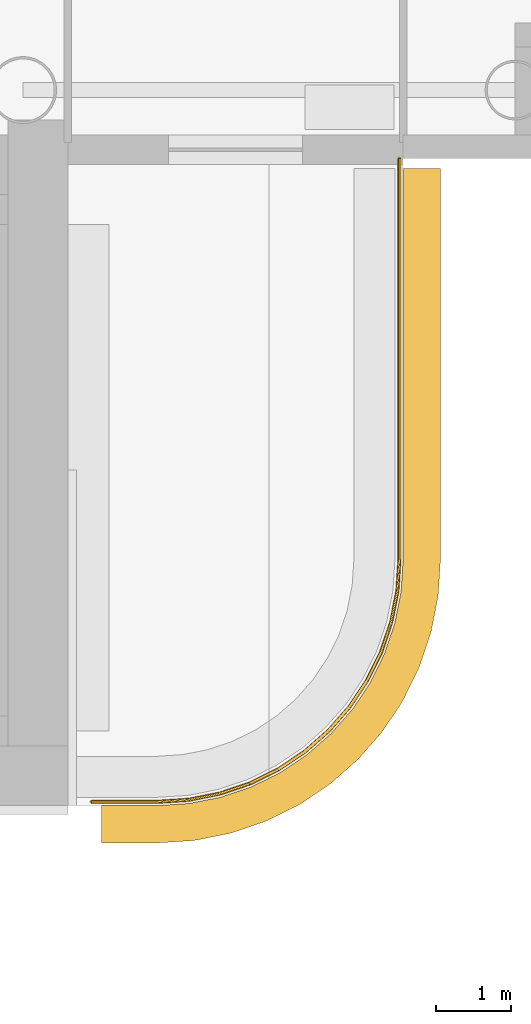
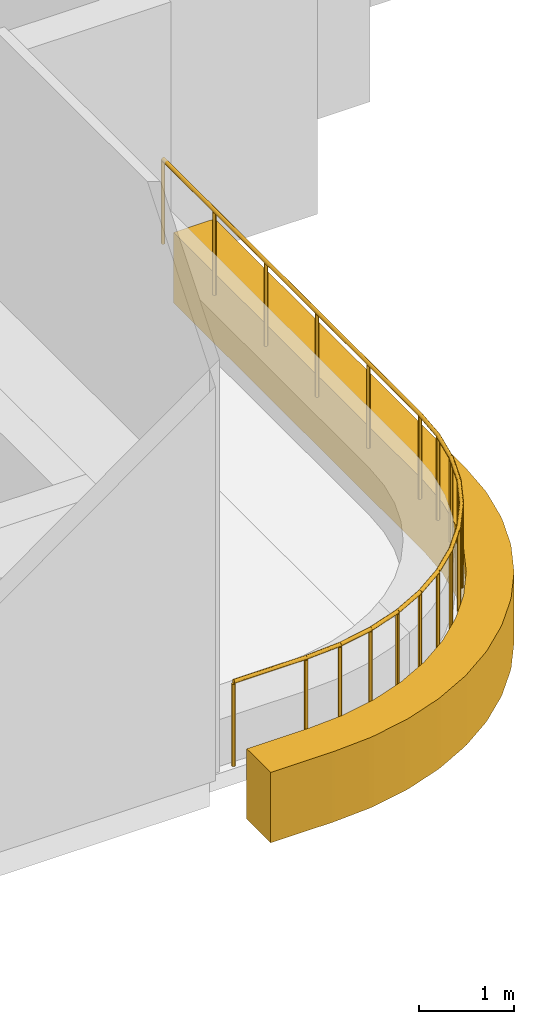
# One storey, part 19 of 20: 1 covering, 1 railing.
"""IFC4 building model written with IfcOpenShell, lengths in metres."""

from ifc_helpers import new_model, si_unit, direction, frame, origin, origin_2d, place, context, subcontext, project, spatial, polyline, circle, outline, extrude, material, layer, layer_set, type_object, element, save


model = new_model("IFC4")

# Units and contexts
model_context = context("Model", 3, precision=1e-05, world=origin(), true_north=direction((0.0, 1.0)))
body_context = subcontext(model_context, "Body", "Model", "MODEL_VIEW")
ifc_project = project(units=[si_unit("LENGTHUNIT", "METRE"), si_unit("AREAUNIT", "SQUARE_METRE"), si_unit("VOLUMEUNIT", "CUBIC_METRE"), si_unit("PLANEANGLEUNIT", "RADIAN"), si_unit("MASSUNIT", "GRAM", prefix="KILO")], contexts=[model_context])

# Site, building, storey
site_placement = place(None, origin())
site = spatial("IfcSite", under=ifc_project, at=site_placement, CompositionType="ELEMENT")
building_placement = place(site_placement, origin())
building = spatial("IfcBuilding", under=site, at=building_placement, Name="Ipe Terrace Towers", CompositionType="ELEMENT")
storey_placement = place(building_placement, frame((0.0, 0.0, 154.10009765625)))
storey = spatial("IfcBuildingStorey", under=building, at=storey_placement, Name="L42", CompositionType="ELEMENT", Elevation=154.10009765625)

# Railing
ifc_material_1 = material(Name="Stainless steel S316", Category="steel")
railing_type = type_object("IfcRailingType", Name="GUARD 1100", PredefinedType="BALUSTRADE", material=ifc_material_1)
railing_placement = place(storey_placement, frame((43.070068359375, -15.699951171875, -0.02001953125)))
element("IfcRailing", 1, at=railing_placement, inside=storey, type_object=railing_type, Name="guard", PredefinedType="BALUSTRADE", context=body_context, shape_type="SweptSolid", body=[
    extrude(circle(Radius=0.02392578125, at=origin_2d()), frame((0.0, 0.0, 1.076171875), z_axis=(1.0, 0.0, 0.0), x_axis=(0.0, 1.0, 0.0)), (0.0, 0.0, 1.0), 0.8779296875),
    extrude(circle(Radius=0.02392578125, at=origin_2d()), frame((0.8779296875, 0.0, 1.076171875), z_axis=(0.997872833927, 0.065190546171, 0.0), x_axis=(-0.065190546171, 0.997872833927, 0.0)), (0.0, 0.0, 1.0), 0.427001953125),
    extrude(circle(Radius=0.02392578125, at=origin_2d()), frame((1.303955078125, 0.02783203125, 1.076171875), z_axis=(0.980756958892, 0.195232649896, 0.0), x_axis=(-0.195232649896, 0.980756958892, 0.0)), (0.0, 0.0, 1.0), 0.42529296875),
    extrude(circle(Radius=0.02392578125, at=origin_2d()), frame((1.720947265625, 0.11083984375, 1.076171875), z_axis=(0.947355280148, 0.320184280026, 0.0), x_axis=(-0.320184280026, 0.947355280148, 0.0)), (0.0, 0.0, 1.0), 0.425537109375),
    extrude(circle(Radius=0.02392578125, at=origin_2d()), frame((2.1240234375, 0.2470703125, 1.076171875), z_axis=(0.895801099535, 0.444455160923, 0.0), x_axis=(-0.444455160923, 0.895801099535, 0.0)), (0.0, 0.0, 1.0), 0.425048828125),
    extrude(circle(Radius=0.02392578125, at=origin_2d()), frame((2.5048828125, 0.43603515625, 1.076171875), z_axis=(0.83151910003, 0.55549616226, 0.0), x_axis=(-0.55549616226, 0.83151910003, 0.0)), (0.0, 0.0, 1.0), 0.424560546875),
    extrude(circle(Radius=0.02392578125, at=origin_2d()), frame((2.85791015625, 0.671875, 1.076171875), z_axis=(0.752612255774, 0.658463964434, 0.0), x_axis=(-0.658463964434, 0.752612255774, 0.0)), (0.0, 0.0, 1.0), 0.42529296875),
    extrude(circle(Radius=0.02392578125, at=origin_2d()), frame((3.177978515625, 0.951904296875, 1.076171875), z_axis=(0.658463964434, 0.752612255774, 0.0), x_axis=(-0.752612255774, 0.658463964434, 0.0)), (0.0, 0.0, 1.0), 0.42529296875),
    extrude(circle(Radius=0.02392578125, at=origin_2d()), frame((3.4580078125, 1.27197265625, 1.076171875), z_axis=(0.55549616226, 0.83151910003, 0.0), x_axis=(-0.83151910003, 0.55549616226, 0.0)), (0.0, 0.0, 1.0), 0.424560546875),
    extrude(circle(Radius=0.02392578125, at=origin_2d()), frame((3.69384765625, 1.625, 1.076171875), z_axis=(0.444455160923, 0.895801099535, 0.0), x_axis=(-0.895801099535, 0.444455160923, 0.0)), (0.0, 0.0, 1.0), 0.425048828125),
    extrude(circle(Radius=0.02392578125, at=origin_2d()), frame((3.8828125, 2.005859375, 1.076171875), z_axis=(0.320184280026, 0.947355280148, 0.0), x_axis=(-0.947355280148, 0.320184280026, 0.0)), (0.0, 0.0, 1.0), 0.425537109375),
    extrude(circle(Radius=0.02392578125, at=origin_2d()), frame((4.01904296875, 2.408935546875, 1.076171875), z_axis=(0.195232649896, 0.980756958892, 0.0), x_axis=(-0.980756958892, 0.195232649896, 0.0)), (0.0, 0.0, 1.0), 0.42529296875),
    extrude(circle(Radius=0.02392578125, at=origin_2d()), frame((4.10205078125, 2.825927734375, 1.076171875), z_axis=(0.065190546171, 0.997872833927, 0.0), x_axis=(-0.997872833927, 0.065190546171, 0.0)), (0.0, 0.0, 1.0), 0.427001953125),
    extrude(circle(Radius=0.02392578125, at=origin_2d()), frame((4.1298828125, 3.251953125, 1.076171875), z_axis=(0.0, 1.0, 0.0), x_axis=(-1.0, 0.0, 0.0)), (0.0, 0.0, 1.0), 5.3779296875),
    extrude(circle(Radius=0.02099609375, at=origin_2d()), origin(), (0.0, 0.0, 1.0), 1.052001953125),
    extrude(circle(Radius=0.02099609375, at=origin_2d()), frame((0.8779296875, 0.0, 0.0)), (0.0, 0.0, 1.0), 1.052001953125),
    extrude(circle(Radius=0.02099609375, at=origin_2d()), frame((1.303955078125, 0.02783203125, 0.0)), (0.0, 0.0, 1.0), 1.052001953125),
    extrude(circle(Radius=0.02099609375, at=origin_2d()), frame((1.720947265625, 0.11083984375, 0.0)), (0.0, 0.0, 1.0), 1.052001953125),
    extrude(circle(Radius=0.02099609375, at=origin_2d()), frame((2.1240234375, 0.2470703125, 0.0)), (0.0, 0.0, 1.0), 1.052001953125),
    extrude(circle(Radius=0.02099609375, at=origin_2d()), frame((2.5048828125, 0.43603515625, 0.0)), (0.0, 0.0, 1.0), 1.052001953125),
    extrude(circle(Radius=0.02099609375, at=origin_2d()), frame((2.85791015625, 0.671875, 0.0)), (0.0, 0.0, 1.0), 1.052001953125),
    extrude(circle(Radius=0.02099609375, at=origin_2d()), frame((3.177978515625, 0.951904296875, 0.0)), (0.0, 0.0, 1.0), 1.052001953125),
    extrude(circle(Radius=0.02099609375, at=origin_2d()), frame((3.4580078125, 1.27197265625, 0.0)), (0.0, 0.0, 1.0), 1.052001953125),
    extrude(circle(Radius=0.02099609375, at=origin_2d()), frame((3.69384765625, 1.625, 0.0)), (0.0, 0.0, 1.0), 1.052001953125),
    extrude(circle(Radius=0.02099609375, at=origin_2d()), frame((3.8828125, 2.005859375, 0.0)), (0.0, 0.0, 1.0), 1.052001953125),
    extrude(circle(Radius=0.02099609375, at=origin_2d()), frame((4.01904296875, 2.408935546875, 0.0)), (0.0, 0.0, 1.0), 1.052001953125),
    extrude(circle(Radius=0.02099609375, at=origin_2d()), frame((4.10205078125, 2.825927734375, 0.0)), (0.0, 0.0, 1.0), 1.052001953125),
    extrude(circle(Radius=0.02099609375, at=origin_2d()), frame((4.1298828125, 3.251953125, 0.0)), (0.0, 0.0, 1.0), 1.052001953125),
    extrude(circle(Radius=0.02099609375, at=origin_2d()), frame((4.1298828125, 4.32763671875, 0.0)), (0.0, 0.0, 1.0), 1.052001953125),
    extrude(circle(Radius=0.02099609375, at=origin_2d()), frame((4.1298828125, 5.403076171875, 0.0)), (0.0, 0.0, 1.0), 1.052001953125),
    extrude(circle(Radius=0.02099609375, at=origin_2d()), frame((4.1298828125, 6.478759765625, 0.0)), (0.0, 0.0, 1.0), 1.052001953125),
    extrude(circle(Radius=0.02099609375, at=origin_2d()), frame((4.1298828125, 7.55419921875, 0.0)), (0.0, 0.0, 1.0), 1.052001953125),
    extrude(circle(Radius=0.02099609375, at=origin_2d()), frame((4.1298828125, 8.6298828125, 0.0)), (0.0, 0.0, 1.0), 1.052001953125),
])

# Covering
ifc_material_2 = material(Name="Concrete C50/60 precast, buff finish", Category="concrete")
ifc_layer = layer(ifc_material_2, 0.5)
ifc_layer_set = layer_set([ifc_layer], Name="STONE EDGE BAND 500 x 900")
covering_type = type_object("IfcCoveringType", Name="STONE EDGE BAND 500 x 900", PredefinedType="CLADDING", material=ifc_layer_set)
covering_placement = place(storey_placement, frame((0.0, 0.0, -0.72021484375)))
element("IfcCovering", 2, at=covering_placement, inside=storey, type_object=covering_type, Name="stone edge band", PredefinedType="CLADDING", context=body_context, shape_type="SweptSolid", body=[
    extrude(outline(polyline([(47.75, -12.449951171875), (47.75, -7.199951171875), (47.25, -7.199951171875), (47.25, -12.449951171875), (47.221923828125, -12.881103515625), (47.137939453125, -13.303955078125), (46.9990234375, -13.712890625), (46.80810546875, -14.10009765625), (46.568115234375, -14.458984375), (46.282958984375, -14.782958984375), (45.958984375, -15.068115234375), (45.60009765625, -15.30810546875), (45.212890625, -15.4990234375), (44.803955078125, -15.637939453125), (44.381103515625, -15.721923828125), (43.949951171875, -15.75), (43.199951171875, -15.75), (43.199951171875, -16.25), (43.949951171875, -16.25), (43.98291015625, -16.2490234375), (44.4130859375, -16.220947265625), (44.47802734375, -16.2119140625), (44.902099609375, -16.1279296875), (44.965087890625, -16.111083984375), (45.3740234375, -15.971923828125), (45.43408203125, -15.947021484375), (45.821044921875, -15.756103515625), (45.8779296875, -15.72412109375), (46.237060546875, -15.48388671875), (46.2890625, -15.444091796875), (46.613037109375, -15.158935546875), (46.658935546875, -15.113037109375), (46.944091796875, -14.7890625), (46.98388671875, -14.737060546875), (47.22412109375, -14.3779296875), (47.256103515625, -14.321044921875), (47.447021484375, -13.93408203125), (47.471923828125, -13.8740234375), (47.611083984375, -13.465087890625), (47.6279296875, -13.402099609375), (47.7119140625, -12.97802734375), (47.720947265625, -12.9130859375), (47.7490234375, -12.48291015625), (47.75, -12.449951171875)])), origin(), (0.0, 0.0, 1.0), 0.900146484375),
])

save(model, "model.ifc")
